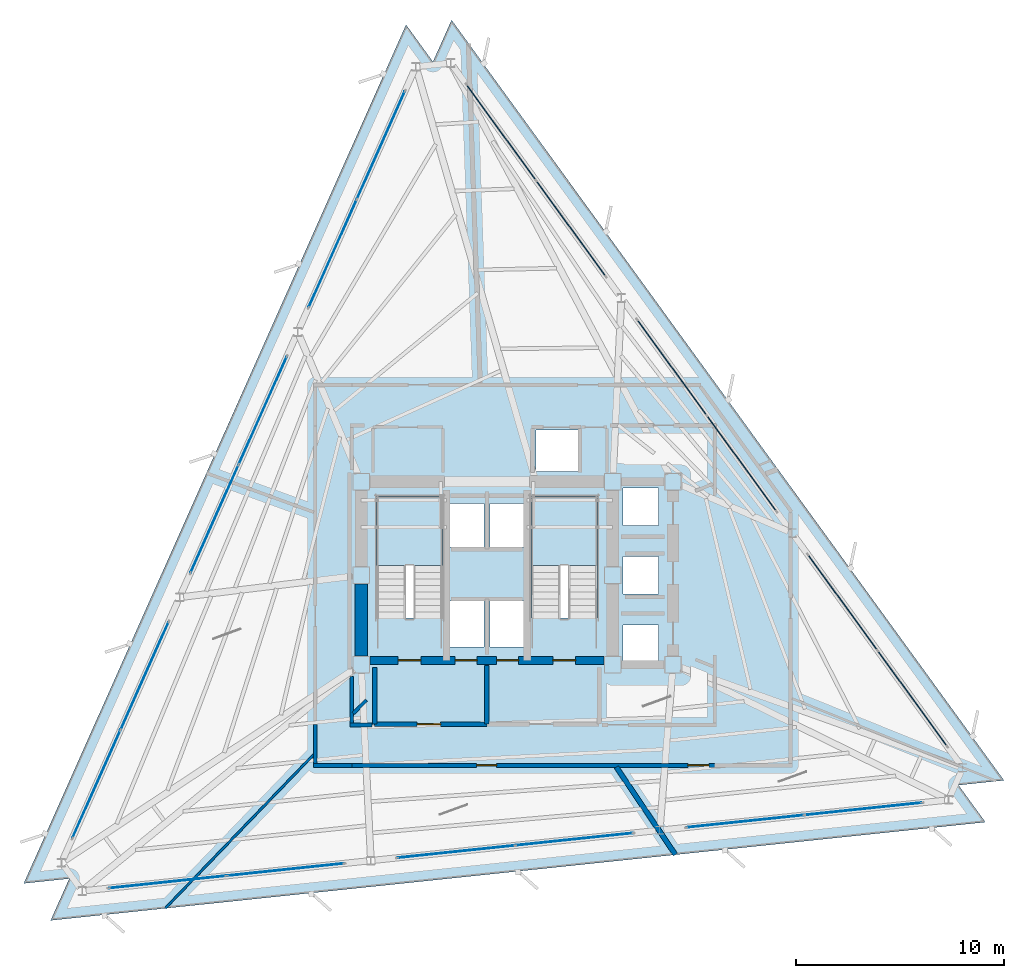
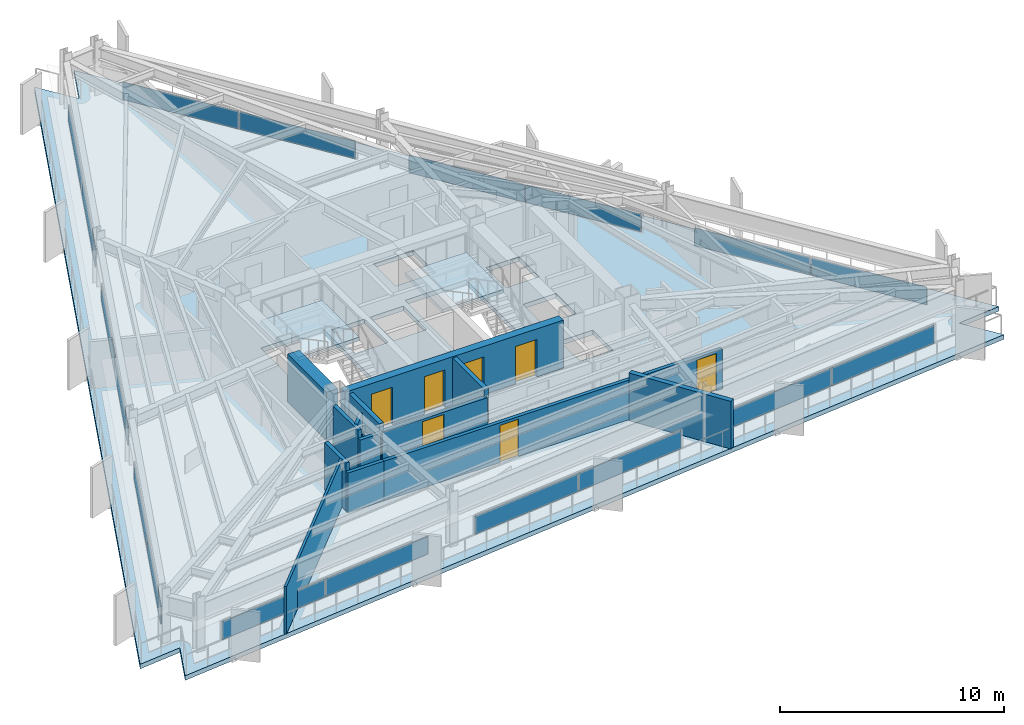
# One storey, part 7 of 13: 18 plates, 13 walls, 7 doors, 3 slabs, 7 openings, 11 elements without a shape of their own.
"""IFC4 building model written with IfcOpenShell, lengths in metres."""

from ifc_helpers import new_model, si_unit, direction, frame, frame_2d, origin, origin_2d, place, context, subcontext, project, spatial, polyline, rectangle, outline, extrude, material, layer, layer_set, type_object, element, fill, aggregate, save


model = new_model("IFC4")

# Units and contexts
model_context = context("Model", 3, precision=1e-05, world=origin(), true_north=direction((0.0, 1.0)))
body_context = subcontext(model_context, "Body", "Model", "MODEL_VIEW")
ifc_project = project(units=[si_unit("LENGTHUNIT", "METRE"), si_unit("AREAUNIT", "SQUARE_METRE"), si_unit("VOLUMEUNIT", "CUBIC_METRE"), si_unit("PLANEANGLEUNIT", "RADIAN"), si_unit("MASSUNIT", "GRAM", prefix="KILO")], contexts=[model_context])

# Site, building, storey
site_placement = place(None, origin())
site = spatial("IfcSite", under=ifc_project, at=site_placement, CompositionType="ELEMENT")
building_placement = place(site_placement, origin())
building = spatial("IfcBuilding", under=site, at=building_placement, Name="Rocaltana Carrier Exchange", CompositionType="ELEMENT")
storey_placement = place(building_placement, frame((0.0, 0.0, 122.8798828125)))
storey = spatial("IfcBuildingStorey", under=building, at=storey_placement, Name="L38", CompositionType="ELEMENT", Elevation=122.8798828125)

# Curtain wall, plates
ifc_material_1 = material(Name="Aluminium 6063-T6", Category="aluminium")
ifc_layer_1 = layer(ifc_material_1, 0.14990234375)
ifc_layer_set_1 = layer_set([ifc_layer_1], Name="Aluminium 6063-T6")
curtain_wall_type = type_object("IfcCurtainWallType", Name="Mid-Tower Unitised Curtain Wall CW-03", PredefinedType="NOTDEFINED", material=ifc_layer_set_1)
curtain_wall_1_placement = place(storey_placement, origin())
curtain_wall_1 = element("IfcCurtainWall", 1, at=curtain_wall_1_placement, inside=storey, type_object=curtain_wall_type, Name="L38 CW-03 Run CW-L38-F1S1", PredefinedType="NOTDEFINED")
ifc_material_2 = material(Name="Tempered Laminated Glass", Category="glass")
ifc_layer_2 = layer(ifc_material_2, 0.0400390625)
ifc_layer_set_2 = layer_set([ifc_layer_2], Name="Tempered Laminated Glass")
plate_type = type_object("IfcPlateType", Name="CW-03 Stone-Insulated Vision Panel", PredefinedType="CURTAIN_PANEL", material=ifc_layer_set_2)
plate_1_placement = place(storey_placement, frame((20.4580078125, -5.925048828125, 0.06005859375), z_axis=(0.0, 0.0, 1.0), x_axis=(-0.587789985889, 0.809013555195, 0.0)))
plate_1 = element("IfcPlate", 2, at=plate_1_placement, type_object=plate_type, Name="CW-03 panel 1.1", PredefinedType="CURTAIN_PANEL", context=body_context, shape_type="SweptSolid", body=[
    extrude(rectangle(XDim=5.643310546875, YDim=0.0400390625, at=origin_2d()), origin(), (0.0, 0.0, 1.0), 0.9580078125),
])
plate_2_placement = place(storey_placement, frame((17.105712890625, -1.310791015625, 0.06005859375), z_axis=(0.0, 0.0, 1.0), x_axis=(-0.587789985889, 0.809013555195, 0.0)))
plate_2 = element("IfcPlate", 3, at=plate_2_placement, type_object=plate_type, Name="CW-03 panel 2.1", PredefinedType="CURTAIN_PANEL", context=body_context, shape_type="SweptSolid", body=[
    extrude(rectangle(XDim=5.643310546875, YDim=0.0400390625, at=origin_2d()), origin(), (0.0, 0.0, 1.0), 0.9580078125),
])
aggregate(curtain_wall_1, [plate_1, plate_2])

curtain_wall_2_placement = place(storey_placement, origin())
curtain_wall_2 = element("IfcCurtainWall", 4, at=curtain_wall_2_placement, inside=storey, type_object=curtain_wall_type, Name="L38 CW-03 Run CW-L38-F1S2", PredefinedType="NOTDEFINED")
plate_3_placement = place(storey_placement, frame((12.248779296875, 5.374267578125, 0.06005859375), z_axis=(0.0, 0.0, 1.0), x_axis=(-0.587789985889, 0.809013555195, 0.0)))
plate_3 = element("IfcPlate", 5, at=plate_3_placement, type_object=plate_type, Name="CW-03 panel 1.1", PredefinedType="CURTAIN_PANEL", context=body_context, shape_type="SweptSolid", body=[
    extrude(rectangle(XDim=5.643310546875, YDim=0.0400390625, at=origin_2d()), origin(), (0.0, 0.0, 1.0), 0.9580078125),
])
plate_4_placement = place(storey_placement, frame((8.896240234375, 9.98828125, 0.06005859375), z_axis=(0.0, 0.0, 1.0), x_axis=(-0.587789985889, 0.809013555195, 0.0)))
plate_4 = element("IfcPlate", 6, at=plate_4_placement, type_object=plate_type, Name="CW-03 panel 2.1", PredefinedType="CURTAIN_PANEL", context=body_context, shape_type="SweptSolid", body=[
    extrude(rectangle(XDim=5.643310546875, YDim=0.0400390625, at=origin_2d()), origin(), (0.0, 0.0, 1.0), 0.9580078125),
])
aggregate(curtain_wall_2, [plate_3, plate_4])

curtain_wall_3_placement = place(storey_placement, origin())
curtain_wall_3 = element("IfcCurtainWall", 7, at=curtain_wall_3_placement, inside=storey, type_object=curtain_wall_type, Name="L38 CW-03 Run CW-L38-F1S3", PredefinedType="NOTDEFINED")
plate_5_placement = place(storey_placement, frame((4.039306640625, 16.673583984375, 0.06005859375), z_axis=(0.0, 0.0, 1.0), x_axis=(-0.587789985889, 0.809013555195, 0.0)))
plate_5 = element("IfcPlate", 8, at=plate_5_placement, type_object=plate_type, Name="CW-03 panel 1.1", PredefinedType="CURTAIN_PANEL", context=body_context, shape_type="SweptSolid", body=[
    extrude(rectangle(XDim=5.643310546875, YDim=0.0400390625, at=origin_2d()), origin(), (0.0, 0.0, 1.0), 0.9580078125),
])
plate_6_placement = place(storey_placement, frame((0.68701171875, 21.28759765625, 0.06005859375), z_axis=(0.0, 0.0, 1.0), x_axis=(-0.587789985889, 0.809013555195, 0.0)))
plate_6 = element("IfcPlate", 9, at=plate_6_placement, type_object=plate_type, Name="CW-03 panel 2.1", PredefinedType="CURTAIN_PANEL", context=body_context, shape_type="SweptSolid", body=[
    extrude(rectangle(XDim=5.643310546875, YDim=0.0400390625, at=origin_2d()), origin(), (0.0, 0.0, 1.0), 0.9580078125),
])
aggregate(curtain_wall_3, [plate_5, plate_6])

curtain_wall_4_placement = place(storey_placement, origin())
curtain_wall_4 = element("IfcCurtainWall", 10, at=curtain_wall_4_placement, inside=storey, type_object=curtain_wall_type, Name="L38 CW-03 Run CW-L38-F2S1", PredefinedType="NOTDEFINED")
plate_7_placement = place(storey_placement, frame((-5.097900390625, 20.6796875, 0.06005859375), z_axis=(0.0, 0.0, 1.0), x_axis=(-0.406740386206, -0.913543791084, 0.0)))
plate_7 = element("IfcPlate", 11, at=plate_7_placement, type_object=plate_type, Name="CW-03 panel 1.1", PredefinedType="CURTAIN_PANEL", context=body_context, shape_type="SweptSolid", body=[
    extrude(rectangle(XDim=5.643310546875, YDim=0.0400390625, at=origin_2d()), origin(), (0.0, 0.0, 1.0), 0.9580078125),
])
plate_8_placement = place(storey_placement, frame((-7.41748046875, 15.46923828125, 0.06005859375), z_axis=(0.0, 0.0, 1.0), x_axis=(-0.406740386206, -0.913543791084, 0.0)))
plate_8 = element("IfcPlate", 12, at=plate_8_placement, type_object=plate_type, Name="CW-03 panel 2.1", PredefinedType="CURTAIN_PANEL", context=body_context, shape_type="SweptSolid", body=[
    extrude(rectangle(XDim=5.643310546875, YDim=0.0400390625, at=origin_2d()), origin(), (0.0, 0.0, 1.0), 0.9580078125),
])
aggregate(curtain_wall_4, [plate_7, plate_8])

curtain_wall_5_placement = place(storey_placement, origin())
curtain_wall_5 = element("IfcCurtainWall", 13, at=curtain_wall_5_placement, inside=storey, type_object=curtain_wall_type, Name="L38 CW-03 Run CW-L38-F2S2", PredefinedType="NOTDEFINED")
plate_9_placement = place(storey_placement, frame((-10.778564453125, 7.92041015625, 0.06005859375), z_axis=(0.0, 0.0, 1.0), x_axis=(-0.406743626669, -0.913542348315, 0.0)))
plate_9 = element("IfcPlate", 14, at=plate_9_placement, type_object=plate_type, Name="CW-03 panel 1.1", PredefinedType="CURTAIN_PANEL", context=body_context, shape_type="SweptSolid", body=[
    extrude(rectangle(XDim=5.643310546875, YDim=0.0400390625, at=origin_2d()), origin(), (0.0, 0.0, 1.0), 0.9580078125),
])
plate_10_placement = place(storey_placement, frame((-13.098388671875, 2.710205078125, 0.06005859375), z_axis=(0.0, 0.0, 1.0), x_axis=(-0.406743626669, -0.913542348315, 0.0)))
plate_10 = element("IfcPlate", 15, at=plate_10_placement, type_object=plate_type, Name="CW-03 panel 2.1", PredefinedType="CURTAIN_PANEL", context=body_context, shape_type="SweptSolid", body=[
    extrude(rectangle(XDim=5.643310546875, YDim=0.0400390625, at=origin_2d()), origin(), (0.0, 0.0, 1.0), 0.9580078125),
])
aggregate(curtain_wall_5, [plate_9, plate_10])

curtain_wall_6_placement = place(storey_placement, origin())
curtain_wall_6 = element("IfcCurtainWall", 16, at=curtain_wall_6_placement, inside=storey, type_object=curtain_wall_type, Name="L38 CW-03 Run CW-L38-F2S3", PredefinedType="NOTDEFINED")
plate_11_placement = place(storey_placement, frame((-16.45947265625, -4.838623046875, 0.06005859375), z_axis=(0.0, 0.0, 1.0), x_axis=(-0.406733108077, -0.913547031517, 0.0)))
plate_11 = element("IfcPlate", 17, at=plate_11_placement, type_object=plate_type, Name="CW-03 panel 1.1", PredefinedType="CURTAIN_PANEL", context=body_context, shape_type="SweptSolid", body=[
    extrude(rectangle(XDim=5.643310546875, YDim=0.0400390625, at=origin_2d()), origin(), (0.0, 0.0, 1.0), 0.9580078125),
])
plate_12_placement = place(storey_placement, frame((-18.779052734375, -10.048828125, 0.06005859375), z_axis=(0.0, 0.0, 1.0), x_axis=(-0.406733108077, -0.913547031517, 0.0)))
plate_12 = element("IfcPlate", 18, at=plate_12_placement, type_object=plate_type, Name="CW-03 panel 2.1", PredefinedType="CURTAIN_PANEL", context=body_context, shape_type="SweptSolid", body=[
    extrude(rectangle(XDim=5.643310546875, YDim=0.0400390625, at=origin_2d()), origin(), (0.0, 0.0, 1.0), 0.9580078125),
])
aggregate(curtain_wall_6, [plate_11, plate_12])

curtain_wall_7_placement = place(storey_placement, origin())
curtain_wall_7 = element("IfcCurtainWall", 19, at=curtain_wall_7_placement, inside=storey, type_object=curtain_wall_type, Name="L38 CW-03 Run CW-L38-F3S1", PredefinedType="NOTDEFINED")
plate_13_placement = place(storey_placement, frame((-15.360107421875, -14.754638671875, 0.06005859375), z_axis=(0.0, 0.0, 1.0), x_axis=(0.994522594952, 0.104521806959, 0.0)))
plate_13 = element("IfcPlate", 20, at=plate_13_placement, type_object=plate_type, Name="CW-03 panel 1.1", PredefinedType="CURTAIN_PANEL", context=body_context, shape_type="SweptSolid", body=[
    extrude(rectangle(XDim=5.643310546875, YDim=0.0400390625, at=origin_2d()), origin(), (0.0, 0.0, 1.0), 0.9580078125),
])
plate_14_placement = place(storey_placement, frame((-9.688232421875, -14.15869140625, 0.06005859375), z_axis=(0.0, 0.0, 1.0), x_axis=(0.994522594952, 0.104521806959, 0.0)))
plate_14 = element("IfcPlate", 21, at=plate_14_placement, type_object=plate_type, Name="CW-03 panel 2.1", PredefinedType="CURTAIN_PANEL", context=body_context, shape_type="SweptSolid", body=[
    extrude(rectangle(XDim=5.643310546875, YDim=0.0400390625, at=origin_2d()), origin(), (0.0, 0.0, 1.0), 0.9580078125),
])
aggregate(curtain_wall_7, [plate_13, plate_14])

curtain_wall_8_placement = place(storey_placement, origin())
curtain_wall_8 = element("IfcCurtainWall", 22, at=curtain_wall_8_placement, inside=storey, type_object=curtain_wall_type, Name="L38 CW-03 Run CW-L38-F3S2", PredefinedType="NOTDEFINED")
plate_15_placement = place(storey_placement, frame((-1.469970703125, -13.294677734375, 0.06005859375), z_axis=(0.0, 0.0, 1.0), x_axis=(0.994521783658, 0.104529526113, 0.0)))
plate_15 = element("IfcPlate", 23, at=plate_15_placement, type_object=plate_type, Name="CW-03 panel 1.1", PredefinedType="CURTAIN_PANEL", context=body_context, shape_type="SweptSolid", body=[
    extrude(rectangle(XDim=5.643310546875, YDim=0.0400390625, at=origin_2d()), origin(), (0.0, 0.0, 1.0), 0.9580078125),
])
plate_16_placement = place(storey_placement, frame((4.2021484375, -12.69873046875, 0.06005859375), z_axis=(0.0, 0.0, 1.0), x_axis=(0.994521783658, 0.104529526113, 0.0)))
plate_16 = element("IfcPlate", 24, at=plate_16_placement, type_object=plate_type, Name="CW-03 panel 2.1", PredefinedType="CURTAIN_PANEL", context=body_context, shape_type="SweptSolid", body=[
    extrude(rectangle(XDim=5.643310546875, YDim=0.0400390625, at=origin_2d()), origin(), (0.0, 0.0, 1.0), 0.9580078125),
])
aggregate(curtain_wall_8, [plate_15, plate_16])

curtain_wall_9_placement = place(storey_placement, origin())
curtain_wall_9 = element("IfcCurtainWall", 25, at=curtain_wall_9_placement, inside=storey, type_object=curtain_wall_type, Name="L38 CW-03 Run CW-L38-F3S3", PredefinedType="NOTDEFINED")
plate_17_placement = place(storey_placement, frame((12.420166015625, -11.834716796875, 0.06005859375), z_axis=(0.0, 0.0, 1.0), x_axis=(0.994522594952, 0.104521806959, 0.0)))
plate_17 = element("IfcPlate", 26, at=plate_17_placement, type_object=plate_type, Name="CW-03 panel 1.1", PredefinedType="CURTAIN_PANEL", context=body_context, shape_type="SweptSolid", body=[
    extrude(rectangle(XDim=5.643310546875, YDim=0.0400390625, at=origin_2d()), origin(), (0.0, 0.0, 1.0), 0.9580078125),
])
plate_18_placement = place(storey_placement, frame((18.092041015625, -11.23876953125, 0.06005859375), z_axis=(0.0, 0.0, 1.0), x_axis=(0.994522594952, 0.104521806959, 0.0)))
plate_18 = element("IfcPlate", 27, at=plate_18_placement, type_object=plate_type, Name="CW-03 panel 2.1", PredefinedType="CURTAIN_PANEL", context=body_context, shape_type="SweptSolid", body=[
    extrude(rectangle(XDim=5.643310546875, YDim=0.0400390625, at=origin_2d()), origin(), (0.0, 0.0, 1.0), 0.9580078125),
])
aggregate(curtain_wall_9, [plate_17, plate_18])

# Slab
ifc_material_3 = material(Name="Concrete C50/60", Category="concrete")
ifc_layer_3 = layer(ifc_material_3, 0.25)
ifc_layer_set_3 = layer_set([ifc_layer_3], Name="Concrete C50/60")
slab_type_1 = type_object("IfcSlabType", Name="Mid-Zone Tower Slab 250", PredefinedType="FLOOR", material=ifc_layer_set_3)
slab_1_placement = place(storey_placement, frame((0.0, 0.0, -0.25)))
element("IfcSlab", 28, at=slab_1_placement, inside=storey, type_object=slab_type_1, Name="L38 Structural Floor Slab", PredefinedType="FLOOR", context=body_context, shape_type="SweptSolid", body=[
    extrude(outline(polyline([(23.972900390625, -11.87744140625), (22.6796875, -10.09765625), (24.86767578125, -9.86767578125), (-1.7001953125, 26.699951171875), (-2.594970703125, 24.690185546875), (-3.88818359375, 26.469970703125), (-22.272705078125, -14.822509765625), (-20.084716796875, -14.59228515625), (-20.9794921875, -16.602294921875), (23.972900390625, -11.87744140625)]), holes=[polyline([(-5.300048828125, -2.06005859375), (-2.139892578125, -2.06005859375), (-2.139892578125, 3.800048828125), (-5.300048828125, 3.800048828125), (-5.300048828125, -2.06005859375)]), polyline([(2.139892578125, -2.06005859375), (5.300048828125, -2.06005859375), (5.300048828125, 3.800048828125), (2.139892578125, 3.800048828125), (2.139892578125, -2.06005859375)]), polyline([(-1.85009765625, -3.449951171875), (-0.14990234375, -3.449951171875), (-0.14990234375, -1.25), (-1.85009765625, -1.25), (-1.85009765625, -3.449951171875)]), polyline([(0.14990234375, -3.449951171875), (1.85009765625, -3.449951171875), (1.85009765625, -1.25), (0.14990234375, -1.25), (0.14990234375, -3.449951171875)]), polyline([(2.35009765625, 4.97998046875), (4.39990234375, 4.97998046875), (4.39990234375, 6.97998046875), (2.35009765625, 6.97998046875), (2.35009765625, 4.97998046875)]), polyline([(-1.85009765625, 1.35009765625), (-0.14990234375, 1.35009765625), (-0.14990234375, 3.449951171875), (-1.85009765625, 3.449951171875), (-1.85009765625, 1.35009765625)]), polyline([(0.14990234375, 1.35009765625), (1.85009765625, 1.35009765625), (1.85009765625, 3.449951171875), (0.14990234375, 3.449951171875), (0.14990234375, 1.35009765625)]), polyline([(6.550048828125, -4.199951171875), (8.25, -4.199951171875), (8.25, -2.39990234375), (6.550048828125, -2.39990234375), (6.550048828125, -4.199951171875)]), polyline([(6.550048828125, -0.89990234375), (8.25, -0.89990234375), (8.25, 0.89990234375), (6.550048828125, 0.89990234375), (6.550048828125, -0.89990234375)]), polyline([(6.550048828125, 2.39990234375), (8.25, 2.39990234375), (8.25, 4.199951171875), (6.550048828125, 4.199951171875), (6.550048828125, 2.39990234375)])]), origin(), (0.0, 0.0, 1.0), 0.25),
])

# Stair, slab
ifc_material_4 = material(Name="Precast concrete C45/55", Category="concrete")
stair_type = type_object("IfcStairType", Name="Standard Dog-Leg Stair 160", PredefinedType="HALF_TURN_STAIR", material=ifc_material_4)
stair_1_placement = place(storey_placement, origin())
stair_1 = element("IfcStair", 29, at=stair_1_placement, inside=storey, type_object=stair_type, Name="L38 Core West Exit Stair ST-1", PredefinedType="HALF_TURN_STAIR")
ifc_material_5 = material(Name="Precast concrete C45/55", Category="concrete")
ifc_layer_4 = layer(ifc_material_5, 0.199951171875)
ifc_layer_set_4 = layer_set([ifc_layer_4], Name="Precast concrete C45/55")
slab_type_2 = type_object("IfcSlabType", Name="Precast Stair Half-Landing 200", PredefinedType="LANDING", material=ifc_layer_set_4)
slab_2_placement = place(storey_placement, frame((0.0, 0.0, 1.320068359375)))
slab_2 = element("IfcSlab", 30, at=slab_2_placement, type_object=slab_type_2, Name="ST-1 landing 1", PredefinedType="LANDING", context=body_context, shape_type="SweptSolid", body=[
    extrude(outline(polyline([(-2.139892578125, 0.4599609375), (-2.139892578125, 3.800048828125), (-5.300048828125, 3.800048828125), (-5.300048828125, 0.4599609375), (-2.139892578125, 0.4599609375)])), origin(), (0.0, 0.0, 1.0), 0.199951171875),
])
aggregate(stair_1, [slab_2])

stair_2_placement = place(storey_placement, origin())
stair_2 = element("IfcStair", 31, at=stair_2_placement, inside=storey, type_object=stair_type, Name="L38 Core East Exit Stair ST-2", PredefinedType="HALF_TURN_STAIR")
slab_3_placement = place(storey_placement, frame((0.0, 0.0, 1.320068359375)))
slab_3 = element("IfcSlab", 32, at=slab_3_placement, type_object=slab_type_2, Name="ST-2 landing 1", PredefinedType="LANDING", context=body_context, shape_type="SweptSolid", body=[
    extrude(outline(polyline([(5.300048828125, 0.4599609375), (5.300048828125, 3.800048828125), (2.139892578125, 3.800048828125), (2.139892578125, 0.4599609375), (5.300048828125, 0.4599609375)])), origin(), (0.0, 0.0, 1.0), 0.199951171875),
])
aggregate(stair_2, [slab_3])

# Wall
ifc_material_6 = material(Name="Double Acoustic Gypsum Partition", Category="gypsum")
ifc_layer_5 = layer(ifc_material_6, 0.159912109375)
ifc_layer_set_5 = layer_set([ifc_layer_5], Name="Double Acoustic Gypsum Partition")
wall_type_1 = type_object("IfcWallType", Name="Acoustic Studio Partition 160 EI60", PredefinedType="PARTITIONING", material=ifc_layer_set_5)
wall_1_placement = place(storey_placement, frame((-5.800048828125, -6.006103515625, 0.0), z_axis=(0.0, 0.0, 1.0), x_axis=(-0.694550575615, -0.719443881003, 0.0)))
element("IfcWall", 33, at=wall_1_placement, inside=storey, type_object=wall_type_1, Name="L38 Suite Divider Wall D1", PredefinedType="PARTITIONING", context=body_context, shape_type="SweptSolid", body=[
    extrude(rectangle(XDim=0.892578125, YDim=0.159912109375, at=frame_2d((0.4462890625, 0.0))), origin(), (0.0, 0.0, 1.0), 2.593017578125),
])

# Wall, openings, doors
ifc_material_7 = material(Name="Concrete C50/60", Category="concrete")
ifc_layer_6 = layer(ifc_material_7, 0.39990234375)
ifc_layer_set_6 = layer_set([ifc_layer_6], Name="Concrete C50/60")
wall_type_2 = type_object("IfcWallType", Name="Core Internal Shear Wall 400", PredefinedType="SHEAR", material=ifc_layer_set_6)
wall_2_placement = place(storey_placement, frame((-5.625, -4.10009765625, 0.0), z_axis=(0.0, 0.0, 1.0), x_axis=(1.0, 0.0, 0.0)))
wall_2 = element("IfcWall", 34, at=wall_2_placement, inside=storey, type_object=wall_type_2, Name="L38 Core Shear Wall CW-S", PredefinedType="SHEAR", context=body_context, shape_type="SweptSolid", body=[
    extrude(rectangle(XDim=11.25, YDim=0.39990234375, at=frame_2d((5.625, 0.0))), origin(), (0.0, 0.0, 1.0), 2.6181640625),
])
opening_1_placement = place(wall_2_placement, frame((1.35498046875, 0.0, 0.0)))
opening_1 = element("IfcOpeningElement", 35, at=opening_1_placement, cuts=wall_2, Name="Opening D-ST110", PredefinedType="OPENING", context=body_context, shape_type="SweptSolid", body=[
    extrude(rectangle(XDim=1.10009765625, YDim=2.0400390625, at=frame_2d((0.550048828125, 1.02001953125))), frame((0.0, 0.2099609375, 0.0), z_axis=(0.0, -1.0, 0.0), x_axis=(1.0, 0.0, 0.0)), (0.0, 0.0, 1.0), 0.419921875),
])
opening_2_placement = place(wall_2_placement, frame((8.794921875, 0.0, 0.0)))
opening_2 = element("IfcOpeningElement", 36, at=opening_2_placement, cuts=wall_2, Name="Opening D-ST110", PredefinedType="OPENING", context=body_context, shape_type="SweptSolid", body=[
    extrude(rectangle(XDim=1.10009765625, YDim=2.0400390625, at=frame_2d((0.550048828125, 1.02001953125))), frame((0.0, 0.2099609375, 0.0), z_axis=(0.0, -1.0, 0.0), x_axis=(1.0, 0.0, 0.0)), (0.0, 0.0, 1.0), 0.419921875),
])
opening_3_placement = place(wall_2_placement, frame((4.094970703125, 0.0, 0.0)))
opening_3 = element("IfcOpeningElement", 37, at=opening_3_placement, cuts=wall_2, Name="Opening LD-110", PredefinedType="OPENING", context=body_context, shape_type="SweptSolid", body=[
    extrude(rectangle(XDim=1.06005859375, YDim=2.0400390625, at=frame_2d((0.530029296875, 1.02001953125))), frame((0.0, 0.2099609375, 0.0), z_axis=(0.0, -1.0, 0.0), x_axis=(1.0, 0.0, 0.0)), (0.0, 0.0, 1.0), 0.419921875),
])
opening_4_placement = place(wall_2_placement, frame((6.094970703125, 0.0, 0.0)))
opening_4 = element("IfcOpeningElement", 38, at=opening_4_placement, cuts=wall_2, Name="Opening LD-110", PredefinedType="OPENING", context=body_context, shape_type="SweptSolid", body=[
    extrude(rectangle(XDim=1.06005859375, YDim=2.0400390625, at=frame_2d((0.530029296875, 1.02001953125))), frame((0.0, 0.2099609375, 0.0), z_axis=(0.0, -1.0, 0.0), x_axis=(1.0, 0.0, 0.0)), (0.0, 0.0, 1.0), 0.419921875),
])
ifc_material_8 = material(Name="Hollow Metal Fire Door Assembly", Category="steel")
door_type_1 = type_object("IfcDoorType", Name="Exit Stair Fire Door 1100x2040 FD90S", OperationType="NOTDEFINED", PredefinedType="DOOR", material=ifc_material_8)
door_1_placement = place(opening_1_placement, origin())
door_1 = element("IfcDoor", 39, at=door_1_placement, inside=storey, type_object=door_type_1, Name="L38 Exit Stair ST1 Fire Door", OperationType="SINGLE_SWING_LEFT", OverallHeight=2.0400390625, OverallWidth=1.10009765625, PredefinedType="DOOR", context=body_context, shape_type="SweptSolid", body=[
    extrude(rectangle(XDim=1.10009765625, YDim=2.0400390625, at=frame_2d((0.550048828125, 1.02001953125))), frame((0.0, 0.02490234375, 0.0), z_axis=(0.0, -1.0, 0.0), x_axis=(1.0, 0.0, 0.0)), (0.0, 0.0, 1.0), 0.050048828125),
])
fill(opening_1, door_1)
door_2_placement = place(opening_2_placement, origin())
door_2 = element("IfcDoor", 40, at=door_2_placement, inside=storey, type_object=door_type_1, Name="L38 Exit Stair ST2 Fire Door", OperationType="SINGLE_SWING_RIGHT", OverallHeight=2.0400390625, OverallWidth=1.10009765625, PredefinedType="DOOR", context=body_context, shape_type="SweptSolid", body=[
    extrude(rectangle(XDim=1.10009765625, YDim=2.0400390625, at=frame_2d((0.550048828125, 1.02001953125))), frame((0.0, 0.02490234375, 0.0), z_axis=(0.0, -1.0, 0.0), x_axis=(1.0, 0.0, 0.0)), (0.0, 0.0, 1.0), 0.050048828125),
])
fill(opening_2, door_2)
ifc_material_9 = material(Name="Brushed Stainless Sliding Door Leaf", Category="steel")
door_type_2 = type_object("IfcDoorType", Name="Lift Landing Sliding Door 1060x2040", OperationType="NOTDEFINED", PredefinedType="DOOR", material=ifc_material_9)
door_3_placement = place(opening_3_placement, origin())
door_3 = element("IfcDoor", 41, at=door_3_placement, inside=storey, type_object=door_type_2, Name="L38 Firefighting Lift FFL1 Landing Door", OperationType="SLIDING_TO_LEFT", OverallHeight=2.0400390625, OverallWidth=1.06005859375, PredefinedType="DOOR", context=body_context, shape_type="SweptSolid", body=[
    extrude(rectangle(XDim=1.06005859375, YDim=2.0400390625, at=frame_2d((0.530029296875, 1.02001953125))), frame((0.0, 0.02490234375, 0.0), z_axis=(0.0, -1.0, 0.0), x_axis=(1.0, 0.0, 0.0)), (0.0, 0.0, 1.0), 0.050048828125),
])
fill(opening_3, door_3)
door_4_placement = place(opening_4_placement, origin())
door_4 = element("IfcDoor", 42, at=door_4_placement, inside=storey, type_object=door_type_2, Name="L38 Firefighting Lift FFL2 Landing Door", OperationType="SLIDING_TO_RIGHT", OverallHeight=2.0400390625, OverallWidth=1.06005859375, PredefinedType="DOOR", context=body_context, shape_type="SweptSolid", body=[
    extrude(rectangle(XDim=1.06005859375, YDim=2.0400390625, at=frame_2d((0.530029296875, 1.02001953125))), frame((0.0, 0.02490234375, 0.0), z_axis=(0.0, -1.0, 0.0), x_axis=(1.0, 0.0, 0.0)), (0.0, 0.0, 1.0), 0.050048828125),
])
fill(opening_4, door_4)

# Walls
ifc_material_10 = material(Name="Concrete C50/60", Category="concrete")
ifc_layer_7 = layer(ifc_material_10, 0.60009765625)
ifc_layer_set_7 = layer_set([ifc_layer_7], Name="Concrete C50/60")
wall_type_3 = type_object("IfcWallType", Name="Core Shear Wall 600", PredefinedType="SHEAR", material=ifc_layer_set_7)
wall_3_placement = place(storey_placement, frame((-6.050048828125, -3.875, 0.0), z_axis=(0.0, 0.0, 1.0), x_axis=(0.0, 1.0, 0.0)))
element("IfcWall", 43, at=wall_3_placement, inside=storey, type_object=wall_type_3, Name="L38 Core Shear Wall CW-WS", PredefinedType="SHEAR", context=body_context, shape_type="SweptSolid", body=[
    extrude(rectangle(XDim=3.449951171875, YDim=0.60009765625, at=frame_2d((1.72509765625, 0.0))), origin(), (0.0, 0.0, 1.0), 2.6181640625),
])
ifc_material_11 = material(Name="Gypsum & Steel Stud Partition", Category="steel")
ifc_layer_8 = layer(ifc_material_11, 0.179931640625)
ifc_layer_set_8 = layer_set([ifc_layer_8], Name="Gypsum & Steel Stud Partition")
wall_type_4 = type_object("IfcWallType", Name="Corridor Fire Partition 180 EI60", PredefinedType="PARTITIONING", material=ifc_layer_set_8)
wall_4_placement = place(storey_placement, frame((-6.47998046875, -9.14990234375, 0.0), z_axis=(0.0, 0.0, 1.0), x_axis=(-1.0, 0.0, 0.0)))
element("IfcWall", 44, at=wall_4_placement, inside=storey, type_object=wall_type_4, Name="L38 Corridor Partition 1", PredefinedType="PARTITIONING", context=body_context, shape_type="SweptSolid", body=[
    extrude(rectangle(XDim=1.860107421875, YDim=0.179931640625, at=frame_2d((0.93017578125, 0.0))), origin(), (0.0, 0.0, 1.0), 2.16015625),
])
wall_5_placement = place(storey_placement, frame((-8.25, -9.06005859375, 0.0), z_axis=(0.0, 0.0, 1.0), x_axis=(0.0, 1.0, 0.0)))
element("IfcWall", 45, at=wall_5_placement, inside=storey, type_object=wall_type_4, Name="L38 Corridor Partition 2", PredefinedType="PARTITIONING", context=body_context, shape_type="SweptSolid", body=[
    extrude(rectangle(XDim=1.880126953125, YDim=0.179931640625, at=frame_2d((0.93994140625, 0.0))), origin(), (0.0, 0.0, 1.0), 2.593017578125),
])

# Wall, openings, doors
wall_6_placement = place(storey_placement, frame((10.97998046875, -9.14990234375, 0.0), z_axis=(0.0, 0.0, 1.0), x_axis=(-1.0, 0.0, 0.0)))
wall_6 = element("IfcWall", 46, at=wall_6_placement, inside=storey, type_object=wall_type_4, Name="L38 Corridor Partition 11", PredefinedType="PARTITIONING", context=body_context, shape_type="SweptSolid", body=[
    extrude(rectangle(XDim=17.5, YDim=0.179931640625, at=frame_2d((8.75, 0.0))), origin(), (0.0, 0.0, 1.0), 2.16015625),
])
opening_5_placement = place(wall_6_placement, frame((10.51123046875, 0.0, 0.0)))
opening_5 = element("IfcOpeningElement", 47, at=opening_5_placement, cuts=wall_6, Name="Opening D-RM098", PredefinedType="OPENING", context=body_context, shape_type="SweptSolid", body=[
    extrude(rectangle(XDim=0.9599609375, YDim=2.02001953125, at=frame_2d((0.47998046875, 1.010009765625))), frame((0.0, 0.099853515625, 0.0), z_axis=(0.0, -1.0, 0.0), x_axis=(1.0, 0.0, 0.0)), (0.0, 0.0, 1.0), 0.199951171875),
])
opening_6_placement = place(wall_6_placement, frame((0.30078125, 0.0, 0.0)))
opening_6 = element("IfcOpeningElement", 48, at=opening_6_placement, cuts=wall_6, Name="Opening D-LB104", PredefinedType="OPENING", context=body_context, shape_type="SweptSolid", body=[
    extrude(rectangle(XDim=1.02001953125, YDim=2.02001953125, at=frame_2d((0.510009765625, 1.010009765625))), frame((0.0, 0.099853515625, 0.0), z_axis=(0.0, -1.0, 0.0), x_axis=(1.0, 0.0, 0.0)), (0.0, 0.0, 1.0), 0.199951171875),
])
ifc_material_12 = material(Name="Powder-Coated Aluminium 6063-T6", Category="aluminium")
door_type_3 = type_object("IfcDoorType", Name="Laboratory Acoustic Door 1020x2020", OperationType="NOTDEFINED", PredefinedType="DOOR", material=ifc_material_12)
door_5_placement = place(opening_6_placement, origin())
door_5 = element("IfcDoor", 49, at=door_5_placement, inside=storey, type_object=door_type_3, Name="L38 Optical Switching Laboratory Entrance Door", OperationType="SINGLE_SWING_RIGHT", OverallHeight=2.02001953125, OverallWidth=1.02001953125, PredefinedType="DOOR", context=body_context, shape_type="SweptSolid", body=[
    extrude(rectangle(XDim=1.02001953125, YDim=2.02001953125, at=frame_2d((0.510009765625, 1.010009765625))), frame((0.0, 0.02490234375, 0.0), z_axis=(0.0, -1.0, 0.0), x_axis=(1.0, 0.0, 0.0)), (0.0, 0.0, 1.0), 0.050048828125),
])
fill(opening_6, door_5)
ifc_material_13 = material(Name="Engineered Hardwood Timber", Category="wood")
door_type_4 = type_object("IfcDoorType", Name="Workspace Single Door 960x2020", OperationType="NOTDEFINED", PredefinedType="DOOR", material=ifc_material_13)
door_6_placement = place(opening_5_placement, origin())
door_6 = element("IfcDoor", 50, at=door_6_placement, inside=storey, type_object=door_type_4, Name="L38 Quiet Focus Lounge Entrance Door", OperationType="SINGLE_SWING_RIGHT", OverallHeight=2.02001953125, OverallWidth=0.9599609375, PredefinedType="DOOR", context=body_context, shape_type="SweptSolid", body=[
    extrude(rectangle(XDim=0.9599609375, YDim=2.02001953125, at=frame_2d((0.47998046875, 1.010009765625))), frame((0.0, 0.02490234375, 0.0), z_axis=(0.0, -1.0, 0.0), x_axis=(1.0, 0.0, 0.0)), (0.0, 0.0, 1.0), 0.050048828125),
])
fill(opening_5, door_6)

# Walls
wall_7_placement = place(storey_placement, frame((-6.5, -4.8798828125, 0.0), z_axis=(0.0, 0.0, 1.0), x_axis=(0.0, -1.0, 0.0)))
element("IfcWall", 51, at=wall_7_placement, inside=storey, type_object=wall_type_4, Name="L38 Corridor Partition 19", PredefinedType="PARTITIONING", context=body_context, shape_type="SweptSolid", body=[
    extrude(rectangle(XDim=2.230224609375, YDim=0.179931640625, at=frame_2d((1.115234375, 0.0))), origin(), (0.0, 0.0, 1.0), 2.593017578125),
])
wall_8_placement = place(storey_placement, frame((-6.590087890625, -7.199951171875, 0.0), z_axis=(0.0, 0.0, 1.0), x_axis=(1.0, 0.0, 0.0)))
element("IfcWall", 52, at=wall_8_placement, inside=storey, type_object=wall_type_4, Name="L38 Corridor Partition 20", PredefinedType="PARTITIONING", context=body_context, shape_type="SweptSolid", body=[
    extrude(rectangle(XDim=1.06005859375, YDim=0.179931640625, at=frame_2d((0.530029296875, 0.0))), origin(), (0.0, 0.0, 1.0), 2.16015625),
])
ifc_material_14 = material(Name="Aluminium 6063-T6 & Acoustic Glass", Category="aluminium")
ifc_layer_9 = layer(ifc_material_14, 0.114990234375)
ifc_layer_set_9 = layer_set([ifc_layer_9], Name="Aluminium 6063-T6 & Acoustic Glass")
wall_type_5 = type_object("IfcWallType", Name="Demountable Glazed Lab Partition 115", PredefinedType="MOVABLE", material=ifc_layer_set_9)
wall_9_placement = place(storey_placement, frame((-8.330078125, -8.6259765625, 0.0), z_axis=(0.0, 0.0, 1.0), x_axis=(-0.694659007852, -0.719339184815, 0.0)))
element("IfcWall", 53, at=wall_9_placement, inside=storey, type_object=wall_type_5, Name="L38 Suite Divider Wall D2", PredefinedType="MOVABLE", context=body_context, shape_type="SweptSolid", body=[
    extrude(rectangle(XDim=10.26806640625, YDim=0.114990234375, at=frame_2d((5.134033203125, 0.0))), origin(), (0.0, 0.0, 1.0), 2.593017578125),
])
ifc_material_15 = material(Name="Autoclaved Aerated Concrete C30/37", Category="concrete")
ifc_layer_10 = layer(ifc_material_15, 0.219970703125)
ifc_layer_set_10 = layer_set([ifc_layer_10], Name="Autoclaved Aerated Concrete C30/37")
wall_type_6 = type_object("IfcWallType", Name="Firefighting Lobby Wall 220 EI120", PredefinedType="PARTITIONING", material=ifc_layer_set_10)
wall_10_placement = place(storey_placement, frame((-5.39990234375, -7.159912109375, 0.0), z_axis=(0.0, 0.0, 1.0), x_axis=(0.0, 1.0, 0.0)))
element("IfcWall", 54, at=wall_10_placement, inside=storey, type_object=wall_type_6, Name="L38 FFL Lobby 1 West Wall", PredefinedType="PARTITIONING", context=body_context, shape_type="SweptSolid", body=[
    extrude(rectangle(XDim=2.7099609375, YDim=0.219970703125, at=frame_2d((1.35498046875, 0.0))), origin(), (0.0, 0.0, 1.0), 2.593017578125),
])
wall_11_placement = place(storey_placement, frame((0.0, -7.159912109375, 0.0), z_axis=(0.0, 0.0, 1.0), x_axis=(0.0, 1.0, 0.0)))
element("IfcWall", 55, at=wall_11_placement, inside=storey, type_object=wall_type_6, Name="L38 FFL Lobby Centre Wall", PredefinedType="PARTITIONING", context=body_context, shape_type="SweptSolid", body=[
    extrude(rectangle(XDim=2.809814453125, YDim=0.219970703125, at=frame_2d((1.40478515625, 0.0))), origin(), (0.0, 0.0, 1.0), 2.593017578125),
])

# Wall, opening, door
wall_12_placement = place(storey_placement, frame((-5.39990234375, -7.159912109375, 0.0), z_axis=(0.0, 0.0, 1.0), x_axis=(1.0, 0.0, 0.0)))
wall_12 = element("IfcWall", 56, at=wall_12_placement, inside=storey, type_object=wall_type_6, Name="L38 FFL Lobby 1 South Wall", PredefinedType="PARTITIONING", context=body_context, shape_type="SweptSolid", body=[
    extrude(rectangle(XDim=5.39990234375, YDim=0.219970703125, at=frame_2d((2.699951171875, 0.0))), origin(), (0.0, 0.0, 1.0), 2.16015625),
])
opening_7_placement = place(wall_12_placement, frame((2.050048828125, 0.0, 0.0)))
opening_7 = element("IfcOpeningElement", 57, at=opening_7_placement, cuts=wall_12, Name="Opening D-FF115", PredefinedType="OPENING", context=body_context, shape_type="SweptSolid", body=[
    extrude(rectangle(XDim=1.1201171875, YDim=2.02001953125, at=frame_2d((0.56005859375, 1.010009765625))), frame((0.0, 0.119873046875, 0.0), z_axis=(0.0, -1.0, 0.0), x_axis=(1.0, 0.0, 0.0)), (0.0, 0.0, 1.0), 0.239990234375),
])
ifc_material_16 = material(Name="Hollow Metal Fire Door Assembly", Category="steel")
door_type_5 = type_object("IfcDoorType", Name="Firefighting Lobby Door 1120x2020 FD60S", OperationType="NOTDEFINED", PredefinedType="DOOR", material=ifc_material_16)
door_7_placement = place(opening_7_placement, origin())
door_7 = element("IfcDoor", 58, at=door_7_placement, inside=storey, type_object=door_type_5, Name="L38 Firefighting Lift Lobby 1 Door", OperationType="SINGLE_SWING_LEFT", OverallHeight=2.02001953125, OverallWidth=1.1201171875, PredefinedType="DOOR", context=body_context, shape_type="SweptSolid", body=[
    extrude(rectangle(XDim=1.1201171875, YDim=2.02001953125, at=frame_2d((0.56005859375, 1.010009765625))), frame((0.0, 0.02490234375, 0.0), z_axis=(0.0, -1.0, 0.0), x_axis=(1.0, 0.0, 0.0)), (0.0, 0.0, 1.0), 0.050048828125),
])
fill(opening_7, door_7)

# Wall
ifc_material_17 = material(Name="Acoustic Calcium Silicate Partition", Category="gypsum")
ifc_layer_11 = layer(ifc_material_17, 0.239990234375)
ifc_layer_set_11 = layer_set([ifc_layer_11], Name="Acoustic Calcium Silicate Partition")
wall_type_7 = type_object("IfcWallType", Name="Heavy Lab Partition 240 EI90", PredefinedType="PARTITIONING", material=ifc_layer_set_11)
wall_13_placement = place(storey_placement, frame((6.2255859375, -9.22998046875, 0.0), z_axis=(0.0, 0.0, 1.0), x_axis=(0.559190912305, -0.82903891561, 0.0)))
element("IfcWall", 59, at=wall_13_placement, inside=storey, type_object=wall_type_7, Name="L38 Suite Divider Wall D3", PredefinedType="PARTITIONING", context=body_context, shape_type="SweptSolid", body=[
    extrude(rectangle(XDim=5.072021484375, YDim=0.239990234375, at=frame_2d((2.5361328125, 0.0))), origin(), (0.0, 0.0, 1.0), 2.593017578125),
])

save(model, "model.ifc")
